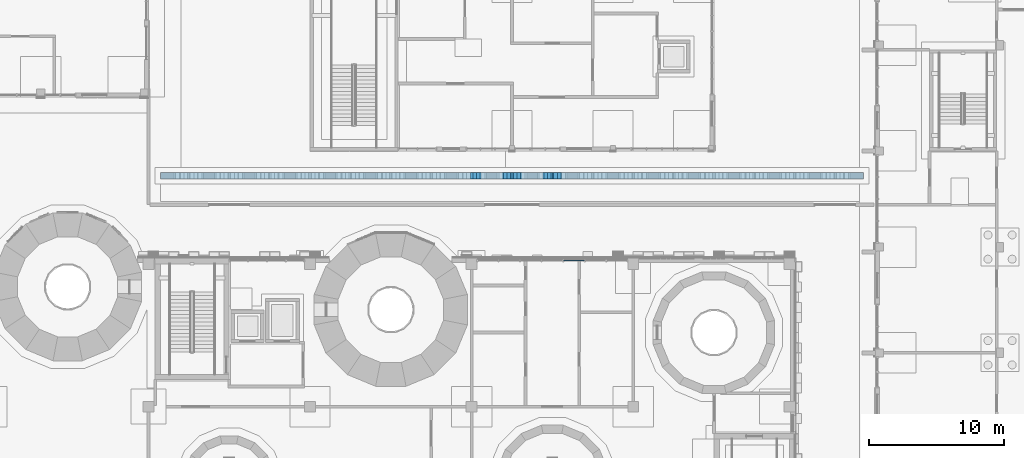
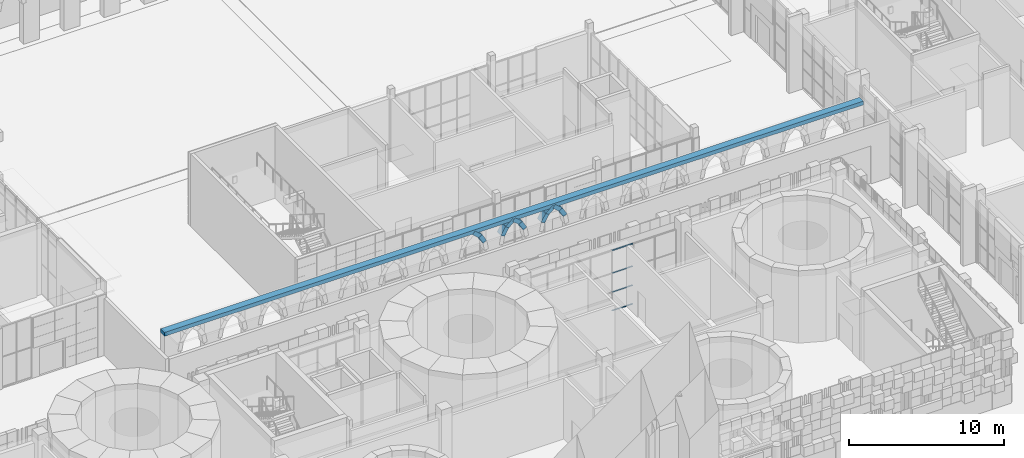
# One storey, part 9 of 125: 14 members, 1 beam, 1 element without a shape of its own.
"""IFC4 building model written with IfcOpenShell, lengths in metres."""

from ifc_helpers import new_model, si_unit, direction, frame, origin, origin_2d, place, context, subcontext, project, spatial, rectangle, hollow_rectangle, extrude, material, material_profile, profile_set, type_object, element, aggregate, save


model = new_model("IFC4")

# Units and contexts
model_context = context("Model", 3, precision=1e-05, world=origin(), true_north=direction((0.0, 1.0)))
body_context = subcontext(model_context, "Body", "Model", "MODEL_VIEW")
ifc_project = project(units=[si_unit("LENGTHUNIT", "METRE"), si_unit("AREAUNIT", "SQUARE_METRE"), si_unit("VOLUMEUNIT", "CUBIC_METRE"), si_unit("PLANEANGLEUNIT", "RADIAN"), si_unit("MASSUNIT", "GRAM", prefix="KILO")], contexts=[model_context])

# Site, building, storey
site_placement = place(None, origin())
site = spatial("IfcSite", under=ifc_project, at=site_placement, CompositionType="ELEMENT")
building_placement = place(site_placement, origin())
building = spatial("IfcBuilding", under=site, at=building_placement, Name="Sun Court Science Centre", CompositionType="ELEMENT")
storey_placement = place(building_placement, origin())
storey = spatial("IfcBuildingStorey", under=building, at=storey_placement, Name="L00", CompositionType="ELEMENT", Elevation=0.0)

# Members
ifc_material_1 = material(Name="Concrete C30/37", Category="concrete")
ifc_material_profile_1 = material_profile(ifc_material_1, rectangle(XDim=0.5, YDim=0.300048828125, at=origin_2d()), Name="RC 500x300")
ifc_profile_set_1 = profile_set([ifc_material_profile_1], Name="Concrete C30/37")
member_type_1 = type_object("IfcMemberType", Name="Arcade arch rib RC 500x300", PredefinedType="MEMBER", material=ifc_profile_set_1)
member_1_placement = place(storey_placement, frame((48.83544921875, 34.14990234375, 3.8798828125), z_axis=(-0.500117354631, 0.0, 0.865957638454), x_axis=(0.0, -1.0, 0.0)))
element("IfcMember", 1, at=member_1_placement, inside=storey, type_object=member_type_1, Name="Arcade arch rib AR1 bay 08", PredefinedType="MEMBER", context=body_context, shape_type="SweptSolid", body=[
    extrude(rectangle(XDim=0.5, YDim=0.300048828125, at=origin_2d()), origin(), (0.0, 0.0, 1.0), 0.659912109375),
])
member_2_placement = place(storey_placement, frame((48.50537109375, 34.14990234375, 4.451416015625), z_axis=(-0.76603282395, 0.0, 0.642801456619), x_axis=(0.0, -1.0, 0.0)))
element("IfcMember", 2, at=member_2_placement, inside=storey, type_object=member_type_1, Name="Arcade arch rib AR1 bay 08", PredefinedType="MEMBER", context=body_context, shape_type="SweptSolid", body=[
    extrude(rectangle(XDim=0.5, YDim=0.300048828125, at=origin_2d()), origin(), (0.0, 0.0, 1.0), 0.65966796875),
])
member_3_placement = place(storey_placement, frame((50.16455078125, 34.14990234375, 3.8798828125), z_axis=(0.500117354631, 0.0, 0.865957638454), x_axis=(0.0, 1.0, 0.0)))
element("IfcMember", 3, at=member_3_placement, inside=storey, type_object=member_type_1, Name="Arcade arch rib AR1 bay 09", PredefinedType="MEMBER", context=body_context, shape_type="SweptSolid", body=[
    extrude(rectangle(XDim=0.5, YDim=0.300048828125, at=origin_2d()), origin(), (0.0, 0.0, 1.0), 0.659912109375),
])
member_4_placement = place(storey_placement, frame((50.49462890625, 34.14990234375, 4.451416015625), z_axis=(0.76603282395, 0.0, 0.642801456619), x_axis=(0.0, 1.0, 0.0)))
element("IfcMember", 4, at=member_4_placement, inside=storey, type_object=member_type_1, Name="Arcade arch rib AR1 bay 09", PredefinedType="MEMBER", context=body_context, shape_type="SweptSolid", body=[
    extrude(rectangle(XDim=0.5, YDim=0.300048828125, at=origin_2d()), origin(), (0.0, 0.0, 1.0), 0.65966796875),
])
member_5_placement = place(storey_placement, frame((51.83544921875, 34.14990234375, 3.8798828125), z_axis=(-0.500117354631, 0.0, 0.865957638454), x_axis=(0.0, -1.0, 0.0)))
element("IfcMember", 5, at=member_5_placement, inside=storey, type_object=member_type_1, Name="Arcade arch rib AR1 bay 09", PredefinedType="MEMBER", context=body_context, shape_type="SweptSolid", body=[
    extrude(rectangle(XDim=0.5, YDim=0.300048828125, at=origin_2d()), origin(), (0.0, 0.0, 1.0), 0.659912109375),
])
member_6_placement = place(storey_placement, frame((51.50537109375, 34.14990234375, 4.451416015625), z_axis=(-0.76603282395, 0.0, 0.642801456619), x_axis=(0.0, -1.0, 0.0)))
element("IfcMember", 6, at=member_6_placement, inside=storey, type_object=member_type_1, Name="Arcade arch rib AR1 bay 09", PredefinedType="MEMBER", context=body_context, shape_type="SweptSolid", body=[
    extrude(rectangle(XDim=0.5, YDim=0.300048828125, at=origin_2d()), origin(), (0.0, 0.0, 1.0), 0.65966796875),
])
member_7_placement = place(storey_placement, frame((53.16455078125, 34.14990234375, 3.8798828125), z_axis=(0.500117354631, 0.0, 0.865957638454), x_axis=(0.0, 1.0, 0.0)))
element("IfcMember", 7, at=member_7_placement, inside=storey, type_object=member_type_1, Name="Arcade arch rib AR1 bay 10", PredefinedType="MEMBER", context=body_context, shape_type="SweptSolid", body=[
    extrude(rectangle(XDim=0.5, YDim=0.300048828125, at=origin_2d()), origin(), (0.0, 0.0, 1.0), 0.659912109375),
])
member_8_placement = place(storey_placement, frame((53.49462890625, 34.14990234375, 4.451416015625), z_axis=(0.76603282395, 0.0, 0.642801456619), x_axis=(0.0, 1.0, 0.0)))
element("IfcMember", 8, at=member_8_placement, inside=storey, type_object=member_type_1, Name="Arcade arch rib AR1 bay 10", PredefinedType="MEMBER", context=body_context, shape_type="SweptSolid", body=[
    extrude(rectangle(XDim=0.5, YDim=0.300048828125, at=origin_2d()), origin(), (0.0, 0.0, 1.0), 0.65966796875),
])
member_9_placement = place(storey_placement, frame((54.83544921875, 34.14990234375, 3.8798828125), z_axis=(-0.500117354631, 0.0, 0.865957638454), x_axis=(0.0, -1.0, 0.0)))
element("IfcMember", 9, at=member_9_placement, inside=storey, type_object=member_type_1, Name="Arcade arch rib AR1 bay 10", PredefinedType="MEMBER", context=body_context, shape_type="SweptSolid", body=[
    extrude(rectangle(XDim=0.5, YDim=0.300048828125, at=origin_2d()), origin(), (0.0, 0.0, 1.0), 0.659912109375),
])
member_10_placement = place(storey_placement, frame((54.50537109375, 34.14990234375, 4.451416015625), z_axis=(-0.76603282395, 0.0, 0.642801456619), x_axis=(0.0, -1.0, 0.0)))
element("IfcMember", 10, at=member_10_placement, inside=storey, type_object=member_type_1, Name="Arcade arch rib AR1 bay 10", PredefinedType="MEMBER", context=body_context, shape_type="SweptSolid", body=[
    extrude(rectangle(XDim=0.5, YDim=0.300048828125, at=origin_2d()), origin(), (0.0, 0.0, 1.0), 0.65966796875),
])

# Beam
ifc_material_2 = material(Name="Concrete C30/37", Category="concrete")
ifc_material_profile_2 = material_profile(ifc_material_2, rectangle(XDim=0.5, YDim=0.300048828125, at=origin_2d()), Name="RC 500x300")
ifc_profile_set_2 = profile_set([ifc_material_profile_2], Name="Concrete C30/37")
beam_type = type_object("IfcBeamType", Name="Arcade beam RC 500x300", PredefinedType="BEAM", material=ifc_profile_set_2)
beam_placement = place(storey_placement, frame((24.89990234375, 34.14990234375, 4.949951171875), z_axis=(1.0, 0.0, 0.0), x_axis=(0.0, 1.0, 0.0)))
element("IfcBeam", 11, at=beam_placement, inside=storey, type_object=beam_type, Name="Arcade beam AR1", PredefinedType="BEAM", context=body_context, shape_type="SweptSolid", body=[
    extrude(rectangle(XDim=0.5, YDim=0.300048828125, at=origin_2d()), origin(), (0.0, 0.0, 1.0), 52.2001953125),
])

# Curtain wall, members
ifc_material_3 = material(Name="Aluminium EN AW-6063 T6", Category="aluminium")
curtain_wall_type = type_object("IfcCurtainWallType", Name="Court gallery curtain wall 1500", PredefinedType="NOTDEFINED", material=ifc_material_3)
curtain_wall_placement = place(storey_placement, origin())
curtain_wall = element("IfcCurtainWall", 12, at=curtain_wall_placement, inside=storey, type_object=curtain_wall_type, Name="Curtain wall V2 N L00 02", PredefinedType="NOTDEFINED")
ifc_material_4 = material(Name="Aluminium EN AW-6063 T6", Category="aluminium")
ifc_material_profile_3 = material_profile(ifc_material_4, hollow_rectangle(XDim=0.050048828125, YDim=0.10009765625, WallThickness=0.00390625, InnerFilletRadius=0.00390625, OuterFilletRadius=0.006103515625, at=origin_2d()), Name="AL 50x100x4")
ifc_profile_set_3 = profile_set([ifc_material_profile_3], Name="Aluminium EN AW-6063 T6")
member_type_2 = type_object("IfcMemberType", Name="Curtain wall transom AL 50x100", PredefinedType="USERDEFINED", material=ifc_profile_set_3)
member_11_placement = place(storey_placement, frame((54.824951171875, 27.85009765625, 0.02490234375), z_axis=(1.0, 0.0, 0.0), x_axis=(0.0, 0.0, 1.0)))
member_11 = element("IfcMember", 13, at=member_11_placement, type_object=member_type_2, Name="CW5-02 transom 5.1", ObjectType="TRANSOM", PredefinedType="USERDEFINED", context=body_context, shape_type="SweptSolid", body=[
    extrude(hollow_rectangle(XDim=0.050048828125, YDim=0.10009765625, WallThickness=0.00390625, InnerFilletRadius=0.00390625, OuterFilletRadius=0.006103515625, at=origin_2d()), origin(), (0.0, 0.0, 1.0), 1.550048828125),
])
member_12_placement = place(storey_placement, frame((54.824951171875, 27.85009765625, 1.5), z_axis=(1.0, 0.0, 0.0), x_axis=(0.0, 0.0, 1.0)))
member_12 = element("IfcMember", 14, at=member_12_placement, type_object=member_type_2, Name="CW5-02 transom 5.2", ObjectType="TRANSOM", PredefinedType="USERDEFINED", context=body_context, shape_type="SweptSolid", body=[
    extrude(hollow_rectangle(XDim=0.050048828125, YDim=0.10009765625, WallThickness=0.00390625, InnerFilletRadius=0.00390625, OuterFilletRadius=0.006103515625, at=origin_2d()), origin(), (0.0, 0.0, 1.0), 1.550048828125),
])
member_13_placement = place(storey_placement, frame((54.824951171875, 27.85009765625, 3.0), z_axis=(1.0, 0.0, 0.0), x_axis=(0.0, 0.0, 1.0)))
member_13 = element("IfcMember", 15, at=member_13_placement, type_object=member_type_2, Name="CW5-02 transom 5.3", ObjectType="TRANSOM", PredefinedType="USERDEFINED", context=body_context, shape_type="SweptSolid", body=[
    extrude(hollow_rectangle(XDim=0.050048828125, YDim=0.10009765625, WallThickness=0.00390625, InnerFilletRadius=0.00390625, OuterFilletRadius=0.006103515625, at=origin_2d()), origin(), (0.0, 0.0, 1.0), 1.550048828125),
])
member_14_placement = place(storey_placement, frame((54.824951171875, 27.85009765625, 4.77490234375), z_axis=(1.0, 0.0, 0.0), x_axis=(0.0, 0.0, 1.0)))
member_14 = element("IfcMember", 16, at=member_14_placement, type_object=member_type_2, Name="CW5-02 transom 5.4", ObjectType="TRANSOM", PredefinedType="USERDEFINED", context=body_context, shape_type="SweptSolid", body=[
    extrude(hollow_rectangle(XDim=0.050048828125, YDim=0.10009765625, WallThickness=0.00390625, InnerFilletRadius=0.00390625, OuterFilletRadius=0.006103515625, at=origin_2d()), origin(), (0.0, 0.0, 1.0), 1.550048828125),
])
aggregate(curtain_wall, [member_11, member_12, member_13, member_14])

save(model, "model.ifc")
